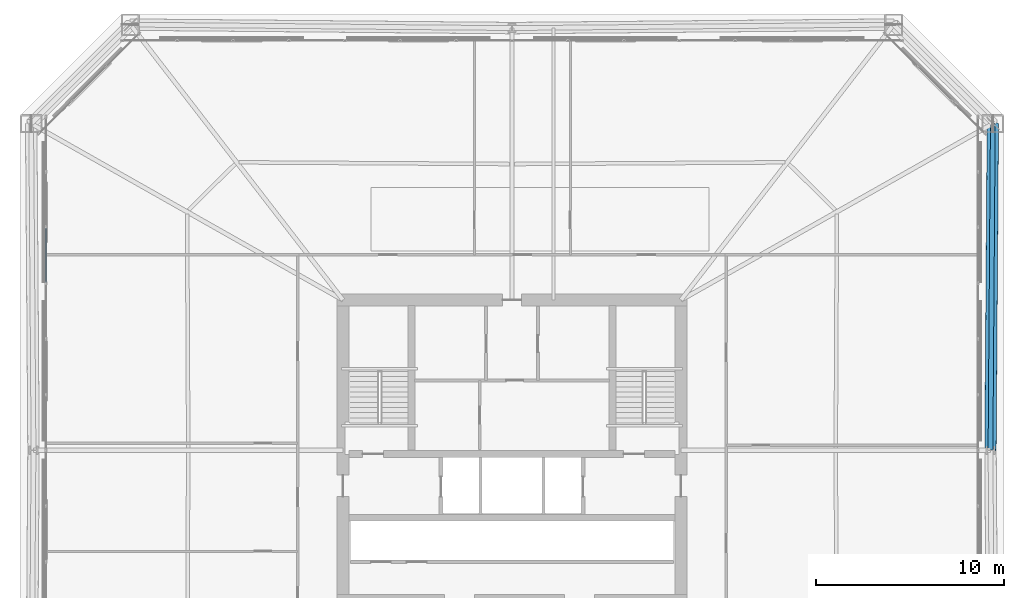
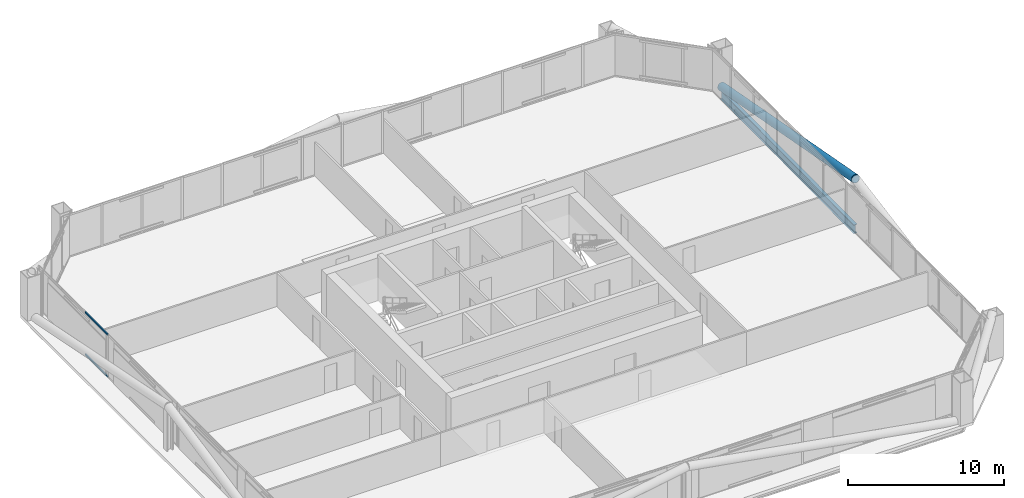
# One storey, part 29 of 50: 3 members, 1 beam, 1 element without a shape of its own.
"""IFC4 building model written with IfcOpenShell, lengths in metres."""

from ifc_helpers import new_model, si_unit, direction, frame, origin, origin_2d, place, context, subcontext, project, spatial, hollow_rectangle, hollow_circle, i_section, extrude, material, layer, layer_set, material_profile, profile_set, type_object, element, aggregate, save


model = new_model("IFC4")

# Units and contexts
model_context = context("Model", 3, precision=1e-05, world=origin(), true_north=direction((0.0, 1.0)))
body_context = subcontext(model_context, "Body", "Model", "MODEL_VIEW")
ifc_project = project(units=[si_unit("LENGTHUNIT", "METRE"), si_unit("AREAUNIT", "SQUARE_METRE"), si_unit("VOLUMEUNIT", "CUBIC_METRE"), si_unit("PLANEANGLEUNIT", "RADIAN"), si_unit("MASSUNIT", "GRAM", prefix="KILO")], contexts=[model_context])

# Site, building, storey
site_placement = place(None, origin())
site = spatial("IfcSite", under=ifc_project, at=site_placement, CompositionType="ELEMENT")
building_placement = place(site_placement, origin())
building = spatial("IfcBuilding", under=site, at=building_placement, Name="Caelvoria Tower", CompositionType="ELEMENT")
storey_placement = place(building_placement, frame((0.0, 0.0, 71.199951171875)))
storey = spatial("IfcBuildingStorey", under=building, at=storey_placement, Name="L18", CompositionType="ELEMENT", Elevation=71.199951171875)

# Curtain wall, members
ifc_material_1 = material(Name="Anodised Bronze Aluminium and Low-E Glass", Category="aluminium")
ifc_layer = layer(ifc_material_1, 0.18505859375, Name="Anodised Bronze Aluminium and Low-E Glass")
ifc_layer_set = layer_set([ifc_layer], Name="CW System 2 Lower Tower Bronze Unitised Facade - Anodised Bronze Aluminium and Low-E Glass")
curtain_wall_type = type_object("IfcCurtainWallType", Name="CW System 2 Lower Tower Bronze Unitised Facade", PredefinedType="NOTDEFINED", material=ifc_layer_set)
curtain_wall_placement = place(storey_placement, origin())
curtain_wall = element("IfcCurtainWall", 1, at=curtain_wall_placement, inside=storey, type_object=curtain_wall_type, Name="CW-02 Curtain Wall L18-E6", PredefinedType="NOTDEFINED")
ifc_material_2 = material(Name="Anodised Bronze Architectural Aluminium", Category="aluminium")
ifc_material_profile_1 = material_profile(ifc_material_2, hollow_rectangle(XDim=0.06494140625, YDim=0.1298828125, WallThickness=0.00341796875, at=origin_2d()), Name="Anodised Bronze Architectural Aluminium")
ifc_profile_set_1 = profile_set([ifc_material_profile_1], Name="CW_TRAN_65X130 - Anodised Bronze Architectural Aluminium")
member_type_1 = type_object("IfcMemberType", Name="Curtain Wall Transom 65x130 Bronze Aluminium", PredefinedType="USERDEFINED", material=ifc_profile_set_1)
member_1_placement = place(storey_placement, frame((21.179931640625, 43.834228515625, 0.032470703125), z_axis=(0.0, -1.0, 0.0), x_axis=(1.0, 0.0, 0.0)))
member_1 = element("IfcMember", 2, at=member_1_placement, type_object=member_type_1, Name="CW-02 transom 3.1", ObjectType="TRANSOM", PredefinedType="USERDEFINED", context=body_context, shape_type="SweptSolid", body=[
    extrude(hollow_rectangle(XDim=0.06494140625, YDim=0.1298828125, WallThickness=0.00341796875, at=origin_2d()), origin(), (0.0, 0.0, 1.0), 2.901611328125),
])
member_2_placement = place(storey_placement, frame((21.179931640625, 43.834228515625, 3.32763671875), z_axis=(0.0, -1.0, 0.0), x_axis=(1.0, 0.0, 0.0)))
member_2 = element("IfcMember", 3, at=member_2_placement, type_object=member_type_1, Name="CW-02 transom 3.2", ObjectType="TRANSOM", PredefinedType="USERDEFINED", context=body_context, shape_type="SweptSolid", body=[
    extrude(hollow_rectangle(XDim=0.06494140625, YDim=0.1298828125, WallThickness=0.00341796875, at=origin_2d()), origin(), (0.0, 0.0, 1.0), 2.901611328125),
])
aggregate(curtain_wall, [member_1, member_2])

# Member
ifc_material_3 = material(Name="Structural Steel ASTM A572 Gr.50", Category="steel")
ifc_material_profile_2 = material_profile(ifc_material_3, hollow_circle(Radius=0.304931640625, WallThickness=0.02490234375, at=origin_2d()), Name="Structural Steel ASTM A572 Gr.50")
ifc_profile_set_2 = profile_set([ifc_material_profile_2], Name="CHS610X25 - Structural Steel ASTM A572 Gr.50")
member_type_2 = type_object("IfcMemberType", Name="Lower Perimeter Mega Brace CHS610X25", PredefinedType="BRACE", material=ifc_profile_set_2)
member_3_placement = place(storey_placement, frame((71.6044921875, 49.3955078125, 0.0), z_axis=(-0.007027615414, -0.981826771495, 0.189649158705), x_axis=(0.999974384694, -0.007157510473, 0.0)))
element("IfcMember", 4, at=member_3_placement, inside=storey, type_object=member_type_2, Name="Perimeter Cardinal Mega Brace L18 EB", PredefinedType="BRACE", context=body_context, shape_type="SweptSolid", body=[
    extrude(hollow_circle(Radius=0.304931640625, WallThickness=0.02490234375, at=origin_2d()), origin(), (0.0, 0.0, 1.0), 17.717529296875),
])

# Beam
ifc_material_4 = material(Name="Structural Steel ASTM A992 Gr.50", Category="steel")
ifc_material_profile_3 = material_profile(ifc_material_4, i_section(OverallWidth=0.25390625, OverallDepth=0.68798828125, WebThickness=0.01318359375, FlangeThickness=0.02099609375, FilletRadius=0.01904296875, at=origin_2d()), Name="Structural Steel ASTM A992 Gr.50")
ifc_profile_set_3 = profile_set([ifc_material_profile_3], Name="W690X152 - Structural Steel ASTM A992 Gr.50")
beam_type = type_object("IfcBeamType", Name="Perimeter Spandrel Girder W690X152", PredefinedType="BEAM", material=ifc_profile_set_3)
beam_placement = place(storey_placement, frame((71.47998046875, 32.0, -0.583984375), z_axis=(0.007157510473, 0.999974384694, 0.0), x_axis=(-0.999974384694, 0.007157510473, 0.0)))
element("IfcBeam", 5, at=beam_placement, inside=storey, type_object=beam_type, Name="Perimeter Spandrel Girder L18-04", PredefinedType="BEAM", context=body_context, shape_type="SweptSolid", body=[
    extrude(i_section(OverallWidth=0.25390625, OverallDepth=0.68798828125, WebThickness=0.01318359375, FlangeThickness=0.02099609375, FilletRadius=0.01904296875, at=origin_2d()), origin(), (0.0, 0.0, 1.0), 17.39599609375),
])

save(model, "model.ifc")
